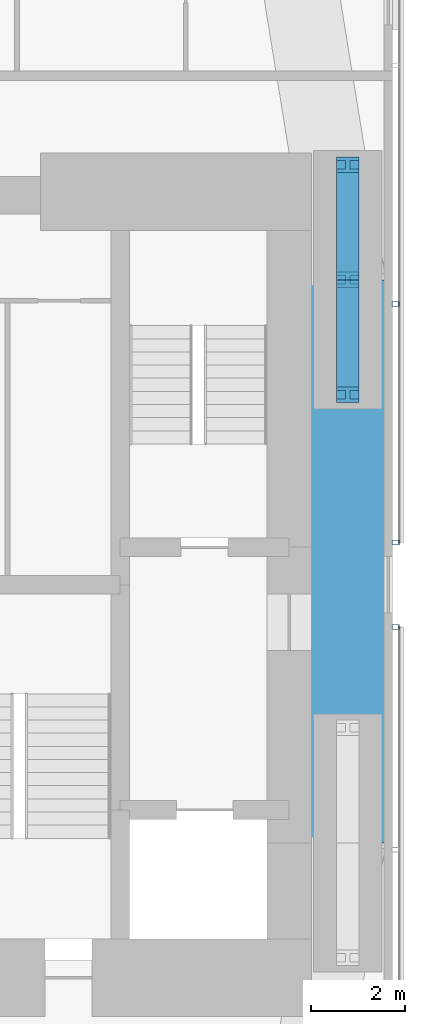
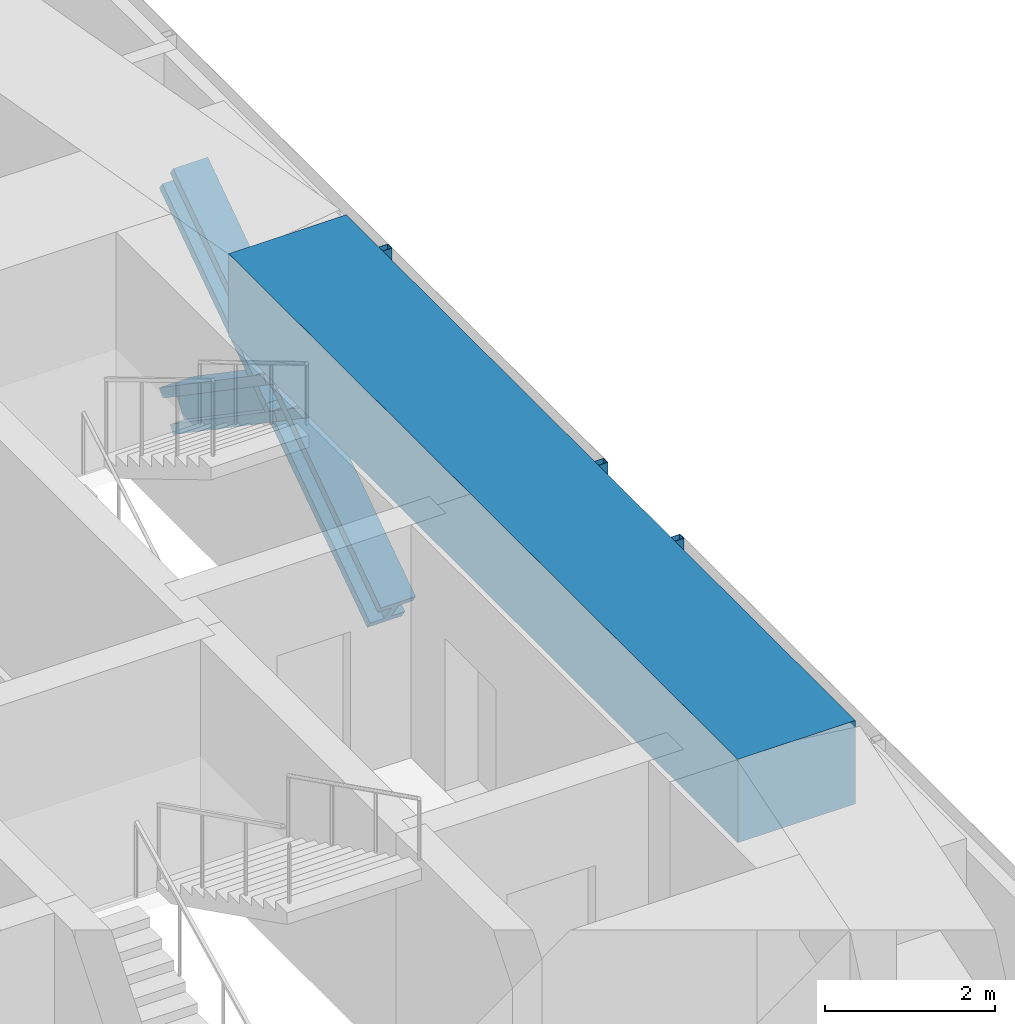
# One storey, part 8 of 22: 7 members, 1 beam, 2 elements without a shape of their own.
"""IFC4 building model written with IfcOpenShell, lengths in metres."""

import ifcopenshell
import ifcopenshell.guid

model = None  # the IFC model being written
_history = None  # IfcOwnerHistory: only IFC2X3 demands one
_inside = {}  # id of a spatial element -> (the spatial element, [elements in it])
_under = {}  # id of a project, library or spatial element -> (it, [spatial elements below it])
_declared = {}  # id of a project -> (the project, [libraries it declares])
_typed = {}  # id of a type object -> (the type object, [elements of that type])
_made_of = {}  # id of a material, layer set ... -> (it, [elements and type objects made of it])


def new_model(schema):
    """Start an empty IFC model of exactly this schema.

    Asked for "IFC4X3", IfcOpenShell would pick the latest addendum, in which some entities
    have other attributes; the version numbers below select the first issue.
    IFC2X3 requires an IfcOwnerHistory on every rooted entity: one is made here for all.
    """
    global model, _history
    if schema == "IFC4X3":
        model = ifcopenshell.file(schema_version=(4, 3, 0, 0))
    else:
        model = ifcopenshell.file(schema=schema)
    _inside.clear()
    _under.clear()
    _declared.clear()
    _typed.clear()
    _made_of.clear()
    _history = None
    if model.schema == "IFC2X3":
        org = make("IfcOrganization", Name="unknown")
        user = make(
            "IfcPersonAndOrganization",
            ThePerson=make("IfcPerson", FamilyName="unknown"),
            TheOrganization=org,
        )
        app = make(
            "IfcApplication",
            ApplicationDeveloper=org,
            Version="unknown",
            ApplicationFullName="unknown",
            ApplicationIdentifier="unknown",
        )
        _history = make(
            "IfcOwnerHistory",
            OwningUser=user,
            OwningApplication=app,
            ChangeAction="ADDED",
            CreationDate=0,
        )
    return model


def make(cls, **values):
    """One entity of the class cls with the attributes given. An attribute that is None is left unset."""
    return model.create_entity(
        cls, **{name: value for name, value in values.items() if value is not None}
    )


def rooted(cls, **values):
    """An entity with a GlobalId (a new one), such as an element, a storey or a relation."""
    return make(cls, GlobalId=ifcopenshell.guid.new(), OwnerHistory=_history, **values)


def si_unit(unit_type, name, prefix=None):
    """IfcSIUnit, for example si_unit("LENGTHUNIT", "METRE", prefix="MILLI")."""
    return make("IfcSIUnit", UnitType=unit_type, Prefix=prefix, Name=name)


def assignment(units):
    """IfcUnitAssignment: the units of a project."""
    return None if units is None else make("IfcUnitAssignment", Units=units)


def point(xyz):
    """IfcCartesianPoint."""
    return None if xyz is None else make("IfcCartesianPoint", Coordinates=xyz)


def direction(xyz):
    """IfcDirection."""
    return None if xyz is None else make("IfcDirection", DirectionRatios=xyz)


def frame(location, z_axis=None, x_axis=None):
    """IfcAxis2Placement3D, a coordinate frame: its origin and axes. An axis left out is left unset."""
    return make(
        "IfcAxis2Placement3D",
        Location=point(location),
        Axis=direction(z_axis),
        RefDirection=direction(x_axis),
    )


def frame_2d(location, x_axis=None):
    """IfcAxis2Placement2D, a coordinate frame in the plane: its origin and x axis."""
    return make(
        "IfcAxis2Placement2D", Location=point(location), RefDirection=direction(x_axis)
    )


def origin():
    """The frame at (0, 0, 0) with its axes left unset."""
    return frame((0.0, 0.0, 0.0))


def origin_2d():
    """The frame at (0, 0) in the plane with its x axis left unset."""
    return frame_2d((0.0, 0.0))


def place(relative_to, where):
    """IfcLocalPlacement: puts the frame where relative to a parent placement (None: the world)."""
    return make(
        "IfcLocalPlacement", PlacementRelTo=relative_to, RelativePlacement=where
    )


def context(
    kind, dimensions, precision=None, world=None, true_north=None, identifier=None
):
    """IfcGeometricRepresentationContext, for example the 3D "Model" context."""
    return make(
        "IfcGeometricRepresentationContext",
        ContextIdentifier=identifier,
        ContextType=kind,
        CoordinateSpaceDimension=dimensions,
        Precision=precision,
        WorldCoordinateSystem=world,
        TrueNorth=true_north,
    )


def subcontext(parent, identifier, kind, view, scale=None):
    """IfcGeometricRepresentationSubContext, for example "Body" below "Model"."""
    return make(
        "IfcGeometricRepresentationSubContext",
        ContextIdentifier=identifier,
        ContextType=kind,
        ParentContext=parent,
        TargetScale=scale,
        TargetView=view,
    )


def project(units=None, contexts=None):
    """IfcProject with its units and contexts."""
    return rooted(
        "IfcProject",
        Name="project",
        RepresentationContexts=contexts,
        UnitsInContext=assignment(units),
    )


def spatial(cls, under=None, at=None, **own):
    """A site, building, storey or space (cls), placed at a placement, below another one or the project."""
    s = rooted(cls, ObjectPlacement=at, **own)
    if under is not None:
        _under.setdefault(under.id(), (under, []))[1].append(s)
    return s


def profile(cls, at=None, kind="AREA", **sizes):
    """A parametric profile (cls). Its sizes go by their IFC names, for example OverallWidth=200.0."""
    return make(cls, ProfileType=kind, Position=at, **sizes)


def rectangle(**sizes):
    """IfcRectangleProfileDef."""
    return profile("IfcRectangleProfileDef", **sizes)


def hollow_rectangle(**sizes):
    """IfcRectangleHollowProfileDef."""
    return profile("IfcRectangleHollowProfileDef", **sizes)


def i_section(**sizes):
    """IfcIShapeProfileDef."""
    return profile("IfcIShapeProfileDef", **sizes)


def extrude(swept, where, along, depth):
    """IfcExtrudedAreaSolid: the profile swept, set in the frame where, extruded along a direction by depth."""
    return make(
        "IfcExtrudedAreaSolid",
        SweptArea=swept,
        Position=where,
        ExtrudedDirection=direction(along),
        Depth=depth,
    )


def shape(context_of_items, identifier, shape_type, items):
    """IfcShapeRepresentation: the items that make up one representation, for example the "Body"."""
    return make(
        "IfcShapeRepresentation",
        ContextOfItems=context_of_items,
        RepresentationIdentifier=identifier,
        RepresentationType=shape_type,
        Items=items,
    )


def material(Name=None, Category=None):
    """IfcMaterial."""
    return make("IfcMaterial", Name=Name, Category=Category)


def material_profile(
    of_material, cross_section, Name=None, Category=None, Priority=None
):
    """IfcMaterialProfile: a cross section and its material."""
    return make(
        "IfcMaterialProfile",
        Name=Name,
        Material=of_material,
        Profile=cross_section,
        Priority=Priority,
        Category=Category,
    )


def profile_set(profiles, Name=None, composite=None):
    """IfcMaterialProfileSet."""
    return make(
        "IfcMaterialProfileSet",
        Name=Name,
        MaterialProfiles=profiles,
        CompositeProfile=composite,
    )


def made_of(thing, what):
    """Note that an element or type object is made of a material, layer set ...; save() writes the relation."""
    if what is not None:
        _made_of.setdefault(what.id(), (what, []))[1].append(thing)
    return thing


def type_object(cls, material=None, **own):
    """A type object (cls), such as IfcWallType, which elements share."""
    return made_of(rooted(cls, **own), material)


def element(
    cls,
    number,
    at=None,
    inside=None,
    cuts=None,
    type_object=None,
    material=None,
    context=None,
    identifier="Body",
    shape_type=None,
    held_by="IfcProductDefinitionShape",
    body=None,
    shapes=None,
    **own,
):
    """One element of the class cls, such as IfcWall. Its Tag is "e" and its number.

    at: its placement. inside: the storey or other place that contains it. cuts: it is an
    opening in that element (IfcRelVoidsElement). A single representation is given by context,
    identifier, shape_type and body (its items); several are given by shapes. held_by: the class
    of the entity that holds the representations. save() writes the other relations.
    """
    e = rooted(cls, Tag="e%d" % number, ObjectPlacement=at, **own)
    if body is not None:
        shapes = [shape(context, identifier, shape_type, body)]
    if shapes is not None:
        e.Representation = make(held_by, Representations=shapes)
    if inside is not None:
        _inside.setdefault(inside.id(), (inside, []))[1].append(e)
    if cuts is not None:
        rooted(
            "IfcRelVoidsElement", RelatingBuildingElement=cuts, RelatedOpeningElement=e
        )
    if type_object is not None:
        _typed.setdefault(type_object.id(), (type_object, []))[1].append(e)
    return made_of(e, material)


def aggregate(whole, parts):
    """IfcRelAggregates: a whole, such as a stair, and the parts it consists of."""
    return rooted("IfcRelAggregates", RelatingObject=whole, RelatedObjects=parts)


def save(model, path):
    """Write the relations noted so far, then the file.

    IfcRelAggregates (storeys below a building ...), IfcRelContainedInSpatialStructure (elements
    in a storey), IfcRelDefinesByType, IfcRelAssociatesMaterial and IfcRelDeclares: one each for
    every whole, place, type object, material and project.
    """
    for whole, parts in _under.values():
        aggregate(whole, parts)
    for where, things in _inside.values():
        rooted(
            "IfcRelContainedInSpatialStructure",
            RelatedElements=things,
            RelatingStructure=where,
        )
    for kind, things in _typed.values():
        rooted("IfcRelDefinesByType", RelatedObjects=things, RelatingType=kind)
    for what, things in _made_of.values():
        rooted("IfcRelAssociatesMaterial", RelatedObjects=things, RelatingMaterial=what)
    for by, libraries in _declared.values():
        rooted("IfcRelDeclares", RelatingContext=by, RelatedDefinitions=libraries)
    model.write(path)


model = new_model("IFC4")

# Units and contexts
model_context = context("Model", 3, precision=1e-05, world=origin(), true_north=direction((0.0, 1.0)))
body_context = subcontext(model_context, "Body", "Model", "MODEL_VIEW")
ifc_project = project(units=[si_unit("LENGTHUNIT", "METRE"), si_unit("AREAUNIT", "SQUARE_METRE"), si_unit("VOLUMEUNIT", "CUBIC_METRE"), si_unit("PLANEANGLEUNIT", "RADIAN"), si_unit("MASSUNIT", "GRAM", prefix="KILO")], contexts=[model_context])

# Site, building, storey
site_placement = place(None, origin())
site = spatial("IfcSite", under=ifc_project, at=site_placement, CompositionType="ELEMENT")
building_placement = place(site_placement, origin())
building = spatial("IfcBuilding", under=site, at=building_placement, Name="Jalousie Tower", CompositionType="ELEMENT")
storey_placement = place(building_placement, frame((0.0, 0.0, 64.550048828125)))
storey = spatial("IfcBuildingStorey", under=building, at=storey_placement, Name="L17", CompositionType="ELEMENT", Elevation=64.550048828125)

# Members
ifc_material_1 = material(Name="Steel ASTM A992 Grade 50", Category="steel")
ifc_material_profile_1 = material_profile(ifc_material_1, i_section(OverallWidth=0.472412109375, OverallDepth=0.5791015625, WebThickness=0.094970703125, FlangeThickness=0.1298828125, at=origin_2d()), Name="W14X808")
ifc_profile_set_1 = profile_set([ifc_material_profile_1], Name="Steel ASTM A992 Grade 50")
member_type_1 = type_object("IfcMemberType", Name="PERIMETER BRACE W14X808", PredefinedType="BRACE", material=ifc_profile_set_1)
for number, where, z_axis, x_axis, name in (
    (1, (45.050048828125, 22.550048828125, -0.60009765625), (0.0, 0.825500916831, 0.564400776321), (-1.0, 0.0, 0.0), "Perimeter brace 07 L17 part 1"),
    (2, (45.050048828125, 25.0, 1.074951171875), (0.0, 0.825500916831, 0.564400776321), (-1.0, 0.0, 0.0), "Perimeter brace 07 L17 part 2"),
    (3, (45.050048828125, 27.449951171875, -0.60009765625), (0.0, -0.825500916831, 0.564400776321), (1.0, 0.0, 0.0), "Perimeter brace 07 L17 part 3"),
    (4, (45.050048828125, 25.0, 1.074951171875), (0.0, -0.825500916831, 0.564400776321), (1.0, 0.0, 0.0), "Perimeter brace 07 L17 part 4"),
):
    element("IfcMember", number, at=place(storey_placement, frame(where, z_axis=z_axis, x_axis=x_axis)), inside=storey, type_object=member_type_1, Name=name, PredefinedType="BRACE", context=body_context, shape_type="SweptSolid", body=[
        extrude(i_section(OverallWidth=0.472412109375, OverallDepth=0.5791015625, WebThickness=0.094970703125, FlangeThickness=0.1298828125, at=origin_2d()), origin(), (0.0, 0.0, 1.0), 2.9677734375),
    ])

# Beam
ifc_material_2 = material(Name="Concrete f'c 40 MPa", Category="concrete")
ifc_material_profile_2 = material_profile(ifc_material_2, rectangle(XDim=1.60009765625, YDim=1.199951171875, at=origin_2d()), Name="RC 1600x1200")
ifc_profile_set_2 = profile_set([ifc_material_profile_2], Name="Concrete f'c 40 MPa")
beam_type = type_object("IfcBeamType", Name="RC BEAM 1600x1200", PredefinedType="BEAM", material=ifc_profile_set_2)
beam_placement = place(storey_placement, frame((45.050048828125, 13.0, 2.75), z_axis=(0.0, 1.0, 0.0), x_axis=(-1.0, 0.0, 0.0)))
element("IfcBeam", 5, at=beam_placement, inside=storey, type_object=beam_type, Name="Edge band beam 06-07 under L18", PredefinedType="BEAM", context=body_context, shape_type="SweptSolid", body=[
    extrude(rectangle(XDim=1.60009765625, YDim=1.199951171875, at=origin_2d()), origin(), (0.0, 0.0, 1.0), 12.0),
])

# Curtain wall, member
ifc_material_3 = material(Name="Perforated aluminium sheet", Category="aluminium")
curtain_wall_type = type_object("IfcCurtainWallType", Name="SOLAR SCREEN SS-1", PredefinedType="USERDEFINED", material=ifc_material_3)
curtain_wall_1_placement = place(storey_placement, origin())
curtain_wall_1 = element("IfcCurtainWall", 6, at=curtain_wall_1_placement, inside=storey, type_object=curtain_wall_type, Name="Solar screen L17", ObjectType="SOLAR SCREEN SS-1", PredefinedType="USERDEFINED")
ifc_material_4 = material(Name="Steel ASTM A500 Grade C", Category="steel")
ifc_material_profile_3 = material_profile(ifc_material_4, hollow_rectangle(XDim=0.1015625, YDim=0.15234375, WallThickness=0.00634765625, at=origin_2d()), Name="HSS6X4X1/4")
ifc_profile_set_3 = profile_set([ifc_material_profile_3], Name="Steel ASTM A500 Grade C")
member_type_2 = type_object("IfcMemberType", Name="SOLAR SCREEN SS-1 MULLION", PredefinedType="MULLION", material=ifc_profile_set_3)
member_1_placement = place(storey_placement, frame((46.0712890625, 17.60009765625, -0.1201171875), z_axis=(0.0, 0.0, 1.0), x_axis=(0.0, 1.0, 0.0)))
member_1 = element("IfcMember", 7, at=member_1_placement, type_object=member_type_2, Name="SS1 post 4", PredefinedType="MULLION", context=body_context, shape_type="SweptSolid", body=[
    extrude(hollow_rectangle(XDim=0.1015625, YDim=0.15234375, WallThickness=0.00634765625, at=origin_2d()), origin(), (0.0, 0.0, 1.0), 3.22998046875),
])
aggregate(curtain_wall_1, [member_1])

# Curtain wall, members
curtain_wall_2_placement = place(storey_placement, origin())
curtain_wall_2 = element("IfcCurtainWall", 8, at=curtain_wall_2_placement, inside=storey, type_object=curtain_wall_type, Name="Solar screen L17", ObjectType="SOLAR SCREEN SS-1", PredefinedType="USERDEFINED")
member_2_placement = place(storey_placement, frame((46.0712890625, 19.39990234375, -0.1201171875), z_axis=(0.0, 0.0, 1.0), x_axis=(0.0, 1.0, 0.0)))
member_2 = element("IfcMember", 9, at=member_2_placement, type_object=member_type_2, Name="SS1 post 1", PredefinedType="MULLION", context=body_context, shape_type="SweptSolid", body=[
    extrude(hollow_rectangle(XDim=0.1015625, YDim=0.15234375, WallThickness=0.00634765625, at=origin_2d()), origin(), (0.0, 0.0, 1.0), 3.22998046875),
])
member_3_placement = place(storey_placement, frame((46.0712890625, 24.48291015625, -0.1201171875), z_axis=(0.0, 0.0, 1.0), x_axis=(0.0, 1.0, 0.0)))
member_3 = element("IfcMember", 10, at=member_3_placement, type_object=member_type_2, Name="SS1 post 2", PredefinedType="MULLION", context=body_context, shape_type="SweptSolid", body=[
    extrude(hollow_rectangle(XDim=0.1015625, YDim=0.15234375, WallThickness=0.00634765625, at=origin_2d()), origin(), (0.0, 0.0, 1.0), 3.22998046875),
])
aggregate(curtain_wall_2, [member_2, member_3])

save(model, "model.ifc")
